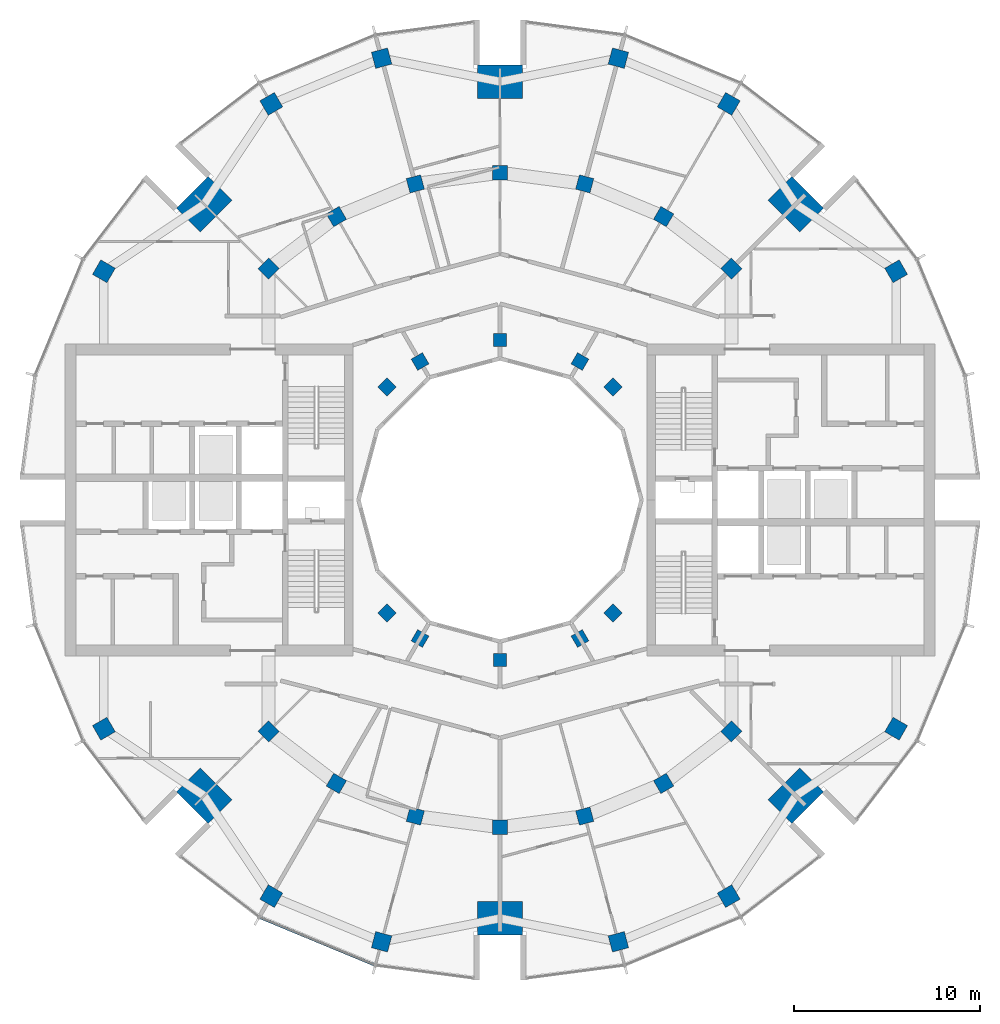
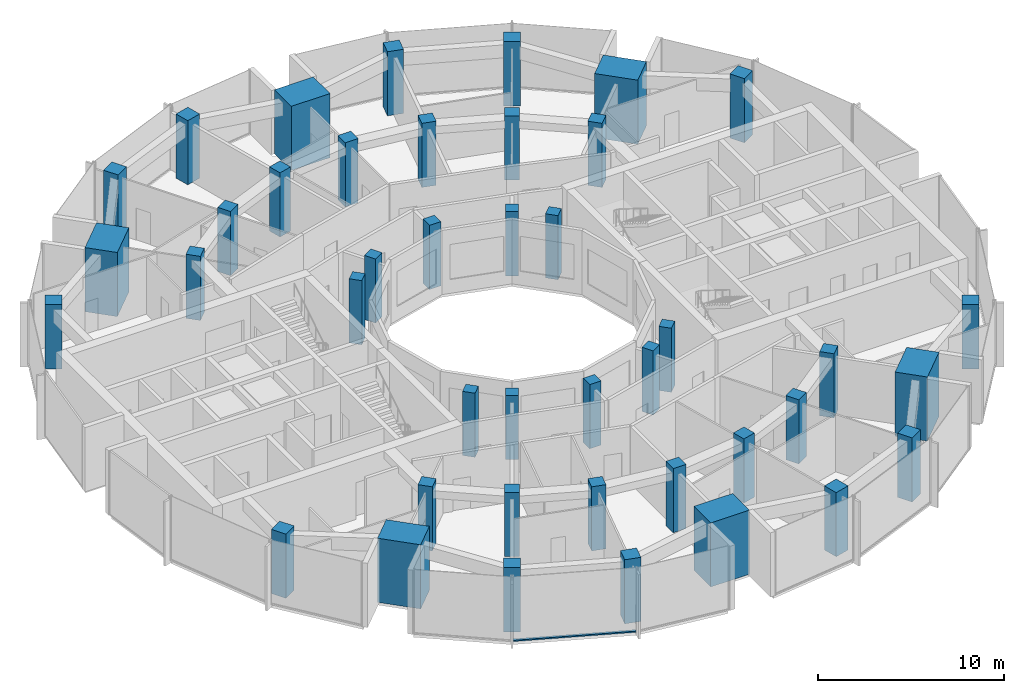
# One storey, part 1 of 15: 42 columns, 1 member, 1 element without a shape of its own.
"""IFC4 building model written with IfcOpenShell, lengths in metres."""

from ifc_helpers import new_model, si_unit, direction, frame, origin, origin_2d, place, context, subcontext, project, spatial, rectangle, extrude, material, layer, layer_set, material_profile, profile_set, type_object, element, aggregate, save


model = new_model("IFC4")

# Units and contexts
model_context = context("Model", 3, precision=1e-05, world=origin(), true_north=direction((0.0, 1.0)))
body_context = subcontext(model_context, "Body", "Model", "MODEL_VIEW")
ifc_project = project(units=[si_unit("LENGTHUNIT", "METRE"), si_unit("AREAUNIT", "SQUARE_METRE"), si_unit("VOLUMEUNIT", "CUBIC_METRE"), si_unit("PLANEANGLEUNIT", "RADIAN"), si_unit("MASSUNIT", "GRAM", prefix="KILO")], contexts=[model_context])

# Site, building, storey
site_placement = place(None, origin())
site = spatial("IfcSite", under=ifc_project, at=site_placement, CompositionType="ELEMENT")
building_placement = place(site_placement, origin())
building = spatial("IfcBuilding", under=site, at=building_placement, Name="Torre Brocal", CompositionType="ELEMENT")
storey_placement = place(building_placement, frame((0.0, 0.0, 220.89990234375)))
storey = spatial("IfcBuildingStorey", under=building, at=storey_placement, Name="L51", CompositionType="ELEMENT", Elevation=220.89990234375)

# Columns
ifc_material_1 = material(Name="Concrete C60", Category="concrete")
ifc_material_profile_1 = material_profile(ifc_material_1, rectangle(XDim=1.800048828125, YDim=2.39990234375, at=origin_2d()), Name="RC 1800X2400")
ifc_profile_set_1 = profile_set([ifc_material_profile_1], Name="Concrete C60")
column_type_1 = type_object("IfcColumnType", Name="RC COLUMN 1800X2400 C60", PredefinedType="COLUMN", material=ifc_profile_set_1)
for number, where, z_axis, x_axis, name in (
    (1, (95.909912109375, 90.909912109375, 0.0), (0.0, 0.0, 1.0), (0.707106781187, 0.707106781187, 0.0), "Column MC-1"),
    (2, (80.0, 97.5, 0.0), (0.0, 0.0, 1.0), (0.0, 1.0, 0.0), "Column MC-2"),
    (3, (64.090087890625, 90.909912109375, 0.0), (0.0, 0.0, 1.0), (-0.707106781187, 0.707106781187, 0.0), "Column MC-3"),
    (4, (64.090087890625, 59.090087890625, 0.0), (0.0, 0.0, 1.0), (-0.707106781187, -0.707106781187, 0.0), "Column MC-5"),
    (5, (80.0, 52.5, 0.0), (0.0, 0.0, 1.0), (0.0, -1.0, 0.0), "Column MC-6"),
    (6, (95.909912109375, 59.090087890625, 0.0), (0.0, 0.0, 1.0), (0.707106781187, -0.707106781187, 0.0), "Column MC-7"),
):
    element("IfcColumn", number, at=place(storey_placement, frame(where, z_axis=z_axis, x_axis=x_axis)), inside=storey, type_object=column_type_1, Name=name, PredefinedType="COLUMN", context=body_context, shape_type="SweptSolid", body=[
        extrude(rectangle(XDim=1.800048828125, YDim=2.39990234375, at=origin_2d()), origin(), (0.0, 0.0, 1.0), 4.2001953125),
    ])
ifc_material_2 = material(Name="Concrete C60", Category="concrete")
ifc_material_profile_2 = material_profile(ifc_material_2, rectangle(XDim=0.699951171875, YDim=0.699951171875, at=origin_2d()), Name="RC 700X700")
ifc_profile_set_2 = profile_set([ifc_material_profile_2], Name="Concrete C60")
column_type_2 = type_object("IfcColumnType", Name="RC COLUMN 700X700 C60", PredefinedType="COLUMN", material=ifc_profile_set_2)
for number, where, z_axis, x_axis, name in (
    (7, (86.0810546875, 81.0810546875, 0.0), (0.0, 0.0, 1.0), (0.707106781187, 0.707106781187, 0.0), "Column C-I03"),
    (8, (84.300048828125, 82.44775390625, 0.0), (0.0, 0.0, 1.0), (0.5, 0.866025403784, 0.0), "Column C-I04"),
    (9, (80.0, 83.60009765625, 0.0), (0.0, 0.0, 1.0), (0.0, 1.0, 0.0), "Column C-I06"),
    (10, (75.699951171875, 82.44775390625, 0.0), (0.0, 0.0, 1.0), (-0.5, 0.866025403784, 0.0), "Column C-I08"),
    (11, (73.9189453125, 81.0810546875, 0.0), (0.0, 0.0, 1.0), (-0.707106781187, 0.707106781187, 0.0), "Column C-I09"),
    (12, (73.9189453125, 68.9189453125, 0.0), (0.0, 0.0, 1.0), (-0.707106781187, -0.707106781187, 0.0), "Column C-I15"),
    (13, (75.699951171875, 67.55224609375, 0.0), (0.0, 0.0, 1.0), (-0.5, -0.866025403784, 0.0), "Column C-I16"),
    (14, (80.0, 66.39990234375, 0.0), (0.0, 0.0, 1.0), (0.0, -1.0, 0.0), "Column C-I18"),
    (15, (84.300048828125, 67.55224609375, 0.0), (0.0, 0.0, 1.0), (0.5, -0.866025403784, 0.0), "Column C-I20"),
    (16, (86.0810546875, 68.9189453125, 0.0), (0.0, 0.0, 1.0), (0.707106781187, -0.707106781187, 0.0), "Column C-I21"),
):
    element("IfcColumn", number, at=place(storey_placement, frame(where, z_axis=z_axis, x_axis=x_axis)), inside=storey, type_object=column_type_2, Name=name, PredefinedType="COLUMN", context=body_context, shape_type="SweptSolid", body=[
        extrude(rectangle(XDim=0.699951171875, YDim=0.699951171875, at=origin_2d()), origin(), (0.0, 0.0, 1.0), 4.2001953125),
    ])
ifc_material_3 = material(Name="Concrete C60", Category="concrete")
ifc_material_profile_3 = material_profile(ifc_material_3, rectangle(XDim=0.800048828125, YDim=0.800048828125, at=origin_2d()), Name="RC 800X800")
ifc_profile_set_3 = profile_set([ifc_material_profile_3], Name="Concrete C60")
column_type_3 = type_object("IfcColumnType", Name="RC COLUMN 800X800 C60", PredefinedType="COLUMN", material=ifc_profile_set_3)
for number, where, z_axis, x_axis, name in (
    (17, (92.445068359375, 87.445068359375, 0.0), (0.0, 0.0, 1.0), (0.707106781187, 0.707106781187, 0.0), "Column C-M03"),
    (18, (88.800048828125, 90.241943359375, 0.0), (0.0, 0.0, 1.0), (0.5, 0.866025403784, 0.0), "Column C-M04"),
    (19, (84.55517578125, 92.000244140625, 0.0), (0.0, 0.0, 1.0), (0.258819045103, 0.965925826289, 0.0), "Column C-M05"),
    (20, (80.0, 92.60009765625, 0.0), (0.0, 0.0, 1.0), (0.0, 1.0, 0.0), "Column C-M06"),
    (21, (75.44482421875, 92.000244140625, 0.0), (0.0, 0.0, 1.0), (-0.258819045103, 0.965925826289, 0.0), "Column C-M07"),
    (22, (71.199951171875, 90.241943359375, 0.0), (0.0, 0.0, 1.0), (-0.5, 0.866025403784, 0.0), "Column C-M08"),
    (23, (67.554931640625, 87.445068359375, 0.0), (0.0, 0.0, 1.0), (-0.707106781187, 0.707106781187, 0.0), "Column C-M09"),
    (24, (67.554931640625, 62.554931640625, 0.0), (0.0, 0.0, 1.0), (-0.707106781187, -0.707106781187, 0.0), "Column C-M15"),
    (25, (71.199951171875, 59.758056640625, 0.0), (0.0, 0.0, 1.0), (-0.5, -0.866025403784, 0.0), "Column C-M16"),
    (26, (75.44482421875, 57.999755859375, 0.0), (0.0, 0.0, 1.0), (-0.258819045103, -0.965925826289, 0.0), "Column C-M17"),
    (27, (80.0, 57.39990234375, 0.0), (0.0, 0.0, 1.0), (0.0, -1.0, 0.0), "Column C-M18"),
    (28, (84.55517578125, 57.999755859375, 0.0), (0.0, 0.0, 1.0), (0.258819045103, -0.965925826289, 0.0), "Column C-M19"),
    (29, (88.800048828125, 59.758056640625, 0.0), (0.0, 0.0, 1.0), (0.5, -0.866025403784, 0.0), "Column C-M20"),
    (30, (92.445068359375, 62.554931640625, 0.0), (0.0, 0.0, 1.0), (0.707106781187, -0.707106781187, 0.0), "Column C-M21"),
):
    element("IfcColumn", number, at=place(storey_placement, frame(where, z_axis=z_axis, x_axis=x_axis)), inside=storey, type_object=column_type_3, Name=name, PredefinedType="COLUMN", context=body_context, shape_type="SweptSolid", body=[
        extrude(rectangle(XDim=0.800048828125, YDim=0.800048828125, at=origin_2d()), origin(), (0.0, 0.0, 1.0), 4.2001953125),
    ])
ifc_material_4 = material(Name="Concrete C60", Category="concrete")
ifc_material_profile_4 = material_profile(ifc_material_4, rectangle(XDim=0.89990234375, YDim=0.89990234375, at=origin_2d()), Name="RC 900X900")
ifc_profile_set_4 = profile_set([ifc_material_profile_4], Name="Concrete C60")
column_type_4 = type_object("IfcColumnType", Name="RC COLUMN 900X900 C60", PredefinedType="COLUMN", material=ifc_profile_set_4)
for number, where, z_axis, x_axis, name in (
    (31, (101.30419921875, 87.300048828125, 0.0), (0.0, 0.0, 1.0), (0.866025403784, 0.5, 0.0), "Column C-O02"),
    (32, (92.300048828125, 96.30419921875, 0.0), (0.0, 0.0, 1.0), (0.5, 0.866025403784, 0.0), "Column C-O04"),
    (33, (86.366943359375, 98.76171875, 0.0), (0.0, 0.0, 1.0), (0.258819045103, 0.965925826289, 0.0), "Column C-O05"),
    (34, (73.633056640625, 98.76171875, 0.0), (0.0, 0.0, 1.0), (-0.258819045103, 0.965925826289, 0.0), "Column C-O07"),
    (35, (67.699951171875, 96.30419921875, 0.0), (0.0, 0.0, 1.0), (-0.5, 0.866025403784, 0.0), "Column C-O08"),
    (36, (58.69580078125, 87.300048828125, 0.0), (0.0, 0.0, 1.0), (-0.866025403784, 0.5, 0.0), "Column C-O10"),
    (37, (58.69580078125, 62.699951171875, 0.0), (0.0, 0.0, 1.0), (-0.866025403784, -0.5, 0.0), "Column C-O14"),
    (38, (67.699951171875, 53.69580078125, 0.0), (0.0, 0.0, 1.0), (-0.5, -0.866025403784, 0.0), "Column C-O16"),
    (39, (73.633056640625, 51.23828125, 0.0), (0.0, 0.0, 1.0), (-0.258819045103, -0.965925826289, 0.0), "Column C-O17"),
    (40, (86.366943359375, 51.23828125, 0.0), (0.0, 0.0, 1.0), (0.258819045103, -0.965925826289, 0.0), "Column C-O19"),
    (41, (92.300048828125, 53.69580078125, 0.0), (0.0, 0.0, 1.0), (0.5, -0.866025403784, 0.0), "Column C-O20"),
    (42, (101.30419921875, 62.699951171875, 0.0), (0.0, 0.0, 1.0), (0.866025403784, -0.5, 0.0), "Column C-O22"),
):
    element("IfcColumn", number, at=place(storey_placement, frame(where, z_axis=z_axis, x_axis=x_axis)), inside=storey, type_object=column_type_4, Name=name, PredefinedType="COLUMN", context=body_context, shape_type="SweptSolid", body=[
        extrude(rectangle(XDim=0.89990234375, YDim=0.89990234375, at=origin_2d()), origin(), (0.0, 0.0, 1.0), 4.2001953125),
    ])

# Curtain wall, member
ifc_material_5 = material(Name="Aluminium and glass", Category="aluminium")
ifc_layer = layer(ifc_material_5, 0.199951171875)
ifc_layer_set = layer_set([ifc_layer], Name="Aluminium and glass")
curtain_wall_type = type_object("IfcCurtainWallType", Name="CW-1 CURTAIN WALL 4200 HIGH", PredefinedType="NOTDEFINED", material=ifc_layer_set)
curtain_wall_placement = place(storey_placement, origin())
curtain_wall = element("IfcCurtainWall", 43, at=curtain_wall_placement, inside=storey, type_object=curtain_wall_type, Name="CW-1 RUN 17", PredefinedType="NOTDEFINED")
ifc_material_6 = material(Name="Aluminium, dark anodised", Category="aluminium")
ifc_material_profile_5 = material_profile(ifc_material_6, rectangle(XDim=0.159912109375, YDim=0.080078125, at=origin_2d()), Name="CW-1 TRANSOM 160X80")
ifc_profile_set_5 = profile_set([ifc_material_profile_5], Name="Aluminium, dark anodised")
member_type = type_object("IfcMemberType", Name="CW-1 TRANSOM 160X80", PredefinedType="USERDEFINED", material=ifc_profile_set_5)
member_placement = place(storey_placement, frame((67.10595703125, 52.547607421875, 0.0400390625), z_axis=(0.923887344364, -0.38266457234, 0.0), x_axis=(0.38266457234, 0.923887344364, 0.0)))
member = element("IfcMember", 44, at=member_placement, type_object=member_type, Name="CW1-5 transom 1.1", ObjectType="TRANSOM", PredefinedType="USERDEFINED", context=body_context, shape_type="SweptSolid", body=[
    extrude(rectangle(XDim=0.159912109375, YDim=0.080078125, at=origin_2d()), origin(), (0.0, 0.0, 1.0), 6.640869140625),
])
aggregate(curtain_wall, [member])

save(model, "model.ifc")
